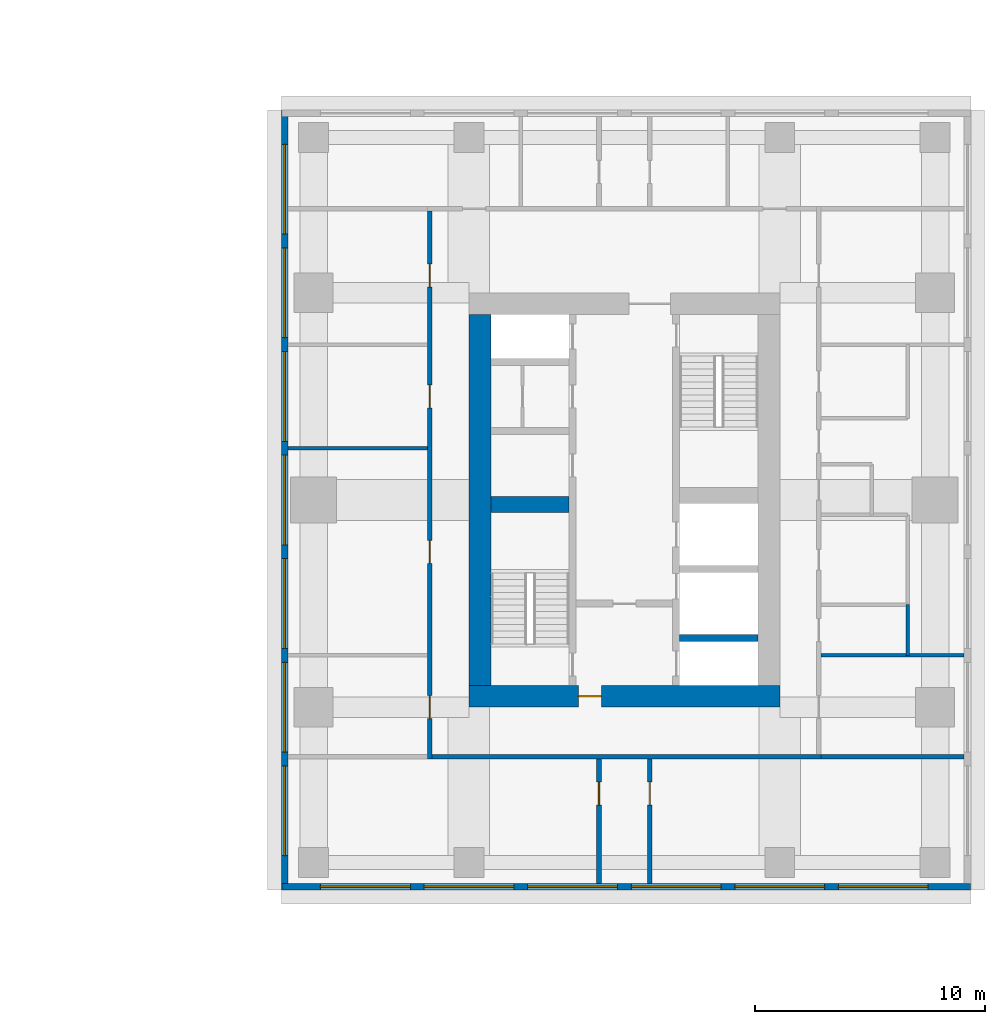
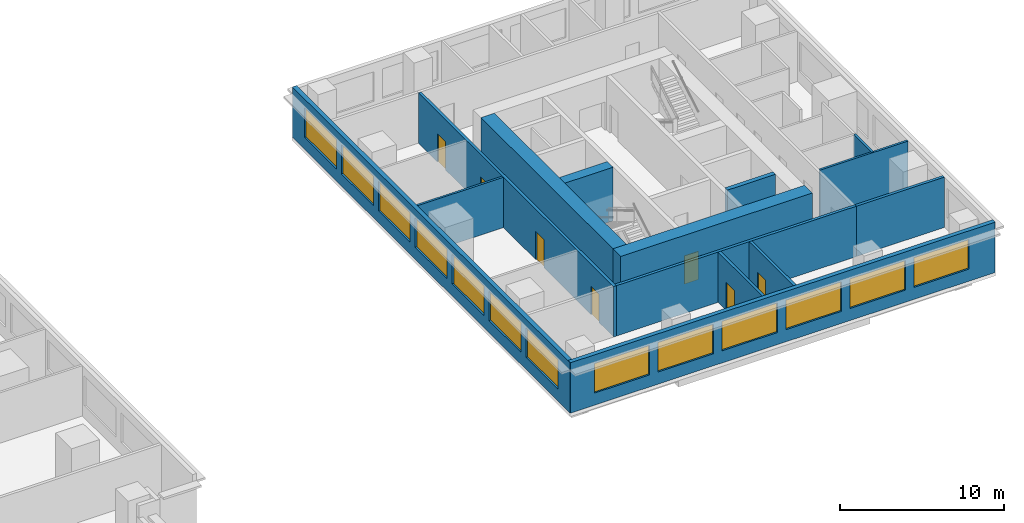
# One storey, part 6 of 11: 14 walls, 13 windows, 7 doors, 20 openings.
"""IFC4 building model written with IfcOpenShell, lengths in metres."""

from ifc_helpers import new_model, si_unit, direction, frame, frame_2d, origin, place, context, subcontext, project, spatial, rectangle, extrude, material, layer, layer_set, type_object, element, fill, save


model = new_model("IFC4")

# Units and contexts
model_context = context("Model", 3, precision=1e-05, world=origin(), true_north=direction((0.0, 1.0)))
body_context = subcontext(model_context, "Body", "Model", "MODEL_VIEW")
ifc_project = project(units=[si_unit("LENGTHUNIT", "METRE"), si_unit("AREAUNIT", "SQUARE_METRE"), si_unit("VOLUMEUNIT", "CUBIC_METRE"), si_unit("PLANEANGLEUNIT", "RADIAN"), si_unit("MASSUNIT", "GRAM", prefix="KILO")], contexts=[model_context])

# Site, building, storey
site_placement = place(None, origin())
site = spatial("IfcSite", under=ifc_project, at=site_placement, CompositionType="ELEMENT")
building_placement = place(site_placement, origin())
building = spatial("IfcBuilding", under=site, at=building_placement, Name="Namib Vertical Campus", CompositionType="ELEMENT")
storey_placement = place(building_placement, frame((0.0, 0.0, 217.0)))
storey = spatial("IfcBuildingStorey", under=building, at=storey_placement, Name="L51", CompositionType="ELEMENT", Elevation=217.0)

# Walls
ifc_material_1 = material(Name="Concrete C60/75", Category="concrete")
ifc_layer_1 = layer(ifc_material_1, 0.300048828125)
ifc_layer_set_1 = layer_set([ifc_layer_1], Name="Concrete C60/75")
wall_type_1 = type_object("IfcWallType", Name="Core inner wall 300", PredefinedType="SHEAR", material=ifc_layer_set_1)
wall_1_placement = place(storey_placement, frame((83.39990234375, 14.25, 0.0), z_axis=(0.0, 0.0, 1.0), x_axis=(1.0, 0.0, 0.0)))
element("IfcWall", 1, at=wall_1_placement, inside=storey, type_object=wall_type_1, Name="Core inner wall B L51 W5", PredefinedType="SHEAR", context=body_context, shape_type="SweptSolid", body=[
    extrude(rectangle(XDim=3.400146484375, YDim=0.300048828125, at=frame_2d((1.7001953125, 0.0))), origin(), (0.0, 0.0, 1.0), 4.0),
])
ifc_material_2 = material(Name="Concrete C60/75", Category="concrete")
ifc_layer_2 = layer(ifc_material_2, 0.699951171875)
ifc_layer_set_2 = layer_set([ifc_layer_2], Name="Concrete C60/75")
wall_type_2 = type_object("IfcWallType", Name="Core shear wall 700", PredefinedType="SHEAR", material=ifc_layer_set_2)
wall_2_placement = place(storey_placement, frame((75.199951171875, 20.050048828125, 0.0), z_axis=(0.0, 0.0, 1.0), x_axis=(1.0, 0.0, 0.0)))
element("IfcWall", 2, at=wall_2_placement, inside=storey, type_object=wall_type_2, Name="Core shear wall B L51 W3", PredefinedType="SHEAR", context=body_context, shape_type="SweptSolid", body=[
    extrude(rectangle(XDim=3.400146484375, YDim=0.699951171875, at=frame_2d((1.7001953125, 0.0))), origin(), (0.0, 0.0, 1.0), 4.0),
])

# Wall, opening, door
ifc_material_3 = material(Name="Concrete C60/75", Category="concrete")
ifc_layer_3 = layer(ifc_material_3, 0.949951171875)
ifc_layer_set_3 = layer_set([ifc_layer_3], Name="Concrete C60/75")
wall_type_3 = type_object("IfcWallType", Name="Core wall 950", PredefinedType="SHEAR", material=ifc_layer_set_3)
wall_3_placement = place(storey_placement, frame((74.25, 11.72509765625, 0.0), z_axis=(0.0, 0.0, 1.0), x_axis=(1.0, 0.0, 0.0)))
wall_3 = element("IfcWall", 3, at=wall_3_placement, inside=storey, type_object=wall_type_3, Name="Core wall B L51 1", PredefinedType="SHEAR", context=body_context, shape_type="SweptSolid", body=[
    extrude(rectangle(XDim=13.5, YDim=0.949951171875, at=frame_2d((6.75, 0.0))), origin(), (0.0, 0.0, 1.0), 4.0),
])
opening_1_placement = place(wall_3_placement, frame((4.75, 0.0, 0.0)))
opening_1 = element("IfcOpeningElement", 4, at=opening_1_placement, cuts=wall_3, Name="Opening FD5", PredefinedType="OPENING", context=body_context, shape_type="SweptSolid", body=[
    extrude(rectangle(XDim=1.0, YDim=2.10009765625, at=frame_2d((0.5, 1.050048828125))), frame((0.0, 0.48486328125, 0.0), z_axis=(0.0, -1.0, 0.0), x_axis=(1.0, 0.0, 0.0)), (0.0, 0.0, 1.0), 0.969970703125),
])
ifc_material_4 = material(Name="Steel fire door", Category="steel")
door_type_1 = type_object("IfcDoorType", Name="Fire door 1000x2100 120 min", OperationType="SINGLE_SWING_RIGHT", PredefinedType="DOOR", material=ifc_material_4)
door_1_placement = place(opening_1_placement, origin())
door_1 = element("IfcDoor", 5, at=door_1_placement, inside=storey, type_object=door_type_1, Name="Firefighting lobby door FD5 B L51", OperationType="SINGLE_SWING_LEFT", OverallHeight=2.10009765625, OverallWidth=1.0, PredefinedType="DOOR", context=body_context, shape_type="SweptSolid", body=[
    extrude(rectangle(XDim=1.0, YDim=2.10009765625, at=frame_2d((0.5, 1.050048828125))), frame((0.0, 0.02490234375, 0.0), z_axis=(0.0, -1.0, 0.0), x_axis=(1.0, 0.0, 0.0)), (0.0, 0.0, 1.0), 0.050048828125),
])
fill(opening_1, door_1)

# Walls
wall_4_placement = place(storey_placement, frame((74.72509765625, 28.300048828125, 0.0), z_axis=(0.0, 0.0, 1.0), x_axis=(0.0, -1.0, 0.0)))
element("IfcWall", 6, at=wall_4_placement, inside=storey, type_object=wall_type_3, Name="Core wall B L51 4", PredefinedType="SHEAR", context=body_context, shape_type="SweptSolid", body=[
    extrude(rectangle(XDim=16.10009765625, YDim=0.949951171875, at=frame_2d((8.050048828125, 0.0))), origin(), (0.0, 0.0, 1.0), 4.0),
])
ifc_material_5 = material(Name="Concrete masonry", Category="masonry")
ifc_layer_4 = layer(ifc_material_5, 0.199951171875)
ifc_layer_set_4 = layer_set([ifc_layer_4], Name="Corridor wall 200")
wall_type_4 = type_object("IfcWallType", Name="Corridor wall 200", PredefinedType="SOLIDWALL", material=ifc_layer_set_4)
wall_5_placement = place(storey_placement, frame((72.64990234375, 9.10009765625, 0.0), z_axis=(0.0, 0.0, 1.0), x_axis=(1.0, 0.0, 0.0)))
element("IfcWall", 7, at=wall_5_placement, inside=storey, type_object=wall_type_4, Name="Corridor wall B L51 CS", PredefinedType="SOLIDWALL", context=body_context, shape_type="SweptSolid", body=[
    extrude(rectangle(XDim=16.900146484375, YDim=0.199951171875, at=frame_2d((8.4501953125, 0.0))), origin(), (0.0, 0.0, 1.0), 3.75),
])

# Wall, openings, doors
wall_6_placement = place(storey_placement, frame((72.550048828125, 32.800048828125, 0.0), z_axis=(0.0, 0.0, 1.0), x_axis=(0.0, -1.0, 0.0)))
wall_6 = element("IfcWall", 8, at=wall_6_placement, inside=storey, type_object=wall_type_4, Name="Corridor wall B L51 CW", PredefinedType="SOLIDWALL", context=body_context, shape_type="SweptSolid", body=[
    extrude(rectangle(XDim=23.800048828125, YDim=0.199951171875, at=frame_2d((11.89990234375, 0.0))), origin(), (0.0, 0.0, 1.0), 3.75),
])
opening_2_placement = place(wall_6_placement, frame((21.050048828125, 0.0, 0.0)))
opening_2 = element("IfcOpeningElement", 9, at=opening_2_placement, cuts=wall_6, Name="Opening CD1", PredefinedType="OPENING", context=body_context, shape_type="SweptSolid", body=[
    extrude(rectangle(XDim=1.0, YDim=2.10009765625, at=frame_2d((0.5, 1.050048828125))), frame((0.0, 0.10986328125, 0.0), z_axis=(0.0, -1.0, 0.0), x_axis=(1.0, 0.0, 0.0)), (0.0, 0.0, 1.0), 0.219970703125),
])
opening_3_placement = place(wall_6_placement, frame((14.300048828125, 0.0, 0.0)))
opening_3 = element("IfcOpeningElement", 10, at=opening_3_placement, cuts=wall_6, Name="Opening CD1", PredefinedType="OPENING", context=body_context, shape_type="SweptSolid", body=[
    extrude(rectangle(XDim=1.0, YDim=2.10009765625, at=frame_2d((0.5, 1.050048828125))), frame((0.0, 0.10986328125, 0.0), z_axis=(0.0, -1.0, 0.0), x_axis=(1.0, 0.0, 0.0)), (0.0, 0.0, 1.0), 0.219970703125),
])
opening_4_placement = place(wall_6_placement, frame((7.550048828125, 0.0, 0.0)))
opening_4 = element("IfcOpeningElement", 11, at=opening_4_placement, cuts=wall_6, Name="Opening CD1", PredefinedType="OPENING", context=body_context, shape_type="SweptSolid", body=[
    extrude(rectangle(XDim=1.0, YDim=2.10009765625, at=frame_2d((0.5, 1.050048828125))), frame((0.0, 0.10986328125, 0.0), z_axis=(0.0, -1.0, 0.0), x_axis=(1.0, 0.0, 0.0)), (0.0, 0.0, 1.0), 0.219970703125),
])
opening_5_placement = place(wall_6_placement, frame((2.300048828125, 0.0, 0.0)))
opening_5 = element("IfcOpeningElement", 12, at=opening_5_placement, cuts=wall_6, Name="Opening CD1", PredefinedType="OPENING", context=body_context, shape_type="SweptSolid", body=[
    extrude(rectangle(XDim=1.0, YDim=2.10009765625, at=frame_2d((0.5, 1.050048828125))), frame((0.0, 0.10986328125, 0.0), z_axis=(0.0, -1.0, 0.0), x_axis=(1.0, 0.0, 0.0)), (0.0, 0.0, 1.0), 0.219970703125),
])
ifc_material_6 = material(Name="Timber fire door leaf", Category="wood")
door_type_2 = type_object("IfcDoorType", Name="Corridor door 1000x2100 20 min", OperationType="SINGLE_SWING_LEFT", PredefinedType="DOOR", material=ifc_material_6)
door_2_placement = place(opening_2_placement, frame((1.0, 0.0, 0.0), z_axis=(0.0, 0.0, 1.0), x_axis=(-1.0, 0.0, 0.0)))
door_2 = element("IfcDoor", 13, at=door_2_placement, inside=storey, type_object=door_type_2, Name="Door CD1 B51-14", OperationType="SINGLE_SWING_RIGHT", OverallHeight=2.10009765625, OverallWidth=1.0, PredefinedType="DOOR", context=body_context, shape_type="SweptSolid", body=[
    extrude(rectangle(XDim=1.0, YDim=2.10009765625, at=frame_2d((0.5, 1.050048828125))), frame((0.0, 0.02490234375, 0.0), z_axis=(0.0, -1.0, 0.0), x_axis=(1.0, 0.0, 0.0)), (0.0, 0.0, 1.0), 0.050048828125),
])
fill(opening_2, door_2)
door_3_placement = place(opening_3_placement, frame((1.0, 0.0, 0.0), z_axis=(0.0, 0.0, 1.0), x_axis=(-1.0, 0.0, 0.0)))
door_3 = element("IfcDoor", 14, at=door_3_placement, inside=storey, type_object=door_type_2, Name="Door CD1 B51-15", OperationType="SINGLE_SWING_RIGHT", OverallHeight=2.10009765625, OverallWidth=1.0, PredefinedType="DOOR", context=body_context, shape_type="SweptSolid", body=[
    extrude(rectangle(XDim=1.0, YDim=2.10009765625, at=frame_2d((0.5, 1.050048828125))), frame((0.0, 0.02490234375, 0.0), z_axis=(0.0, -1.0, 0.0), x_axis=(1.0, 0.0, 0.0)), (0.0, 0.0, 1.0), 0.050048828125),
])
fill(opening_3, door_3)
door_4_placement = place(opening_4_placement, frame((1.0, 0.0, 0.0), z_axis=(0.0, 0.0, 1.0), x_axis=(-1.0, 0.0, 0.0)))
door_4 = element("IfcDoor", 15, at=door_4_placement, inside=storey, type_object=door_type_2, Name="Door CD1 B51-16", OperationType="SINGLE_SWING_RIGHT", OverallHeight=2.10009765625, OverallWidth=1.0, PredefinedType="DOOR", context=body_context, shape_type="SweptSolid", body=[
    extrude(rectangle(XDim=1.0, YDim=2.10009765625, at=frame_2d((0.5, 1.050048828125))), frame((0.0, 0.02490234375, 0.0), z_axis=(0.0, -1.0, 0.0), x_axis=(1.0, 0.0, 0.0)), (0.0, 0.0, 1.0), 0.050048828125),
])
fill(opening_4, door_4)
door_5_placement = place(opening_5_placement, frame((1.0, 0.0, 0.0), z_axis=(0.0, 0.0, 1.0), x_axis=(-1.0, 0.0, 0.0)))
door_5 = element("IfcDoor", 16, at=door_5_placement, inside=storey, type_object=door_type_2, Name="Door CD1 B51-17", OperationType="SINGLE_SWING_RIGHT", OverallHeight=2.10009765625, OverallWidth=1.0, PredefinedType="DOOR", context=body_context, shape_type="SweptSolid", body=[
    extrude(rectangle(XDim=1.0, YDim=2.10009765625, at=frame_2d((0.5, 1.050048828125))), frame((0.0, 0.02490234375, 0.0), z_axis=(0.0, -1.0, 0.0), x_axis=(1.0, 0.0, 0.0)), (0.0, 0.0, 1.0), 0.050048828125),
])
fill(opening_5, door_5)

# Wall, opening, door
wall_7_placement = place(storey_placement, frame((79.89990234375, 3.60009765625, 0.0), z_axis=(0.0, 0.0, 1.0), x_axis=(0.0, 1.0, 0.0)))
wall_7 = element("IfcWall", 17, at=wall_7_placement, inside=storey, type_object=wall_type_4, Name="Corridor wall B L51 SPS1", PredefinedType="SOLIDWALL", context=body_context, shape_type="SweptSolid", body=[
    extrude(rectangle(XDim=5.39990234375, YDim=0.199951171875, at=frame_2d((2.699951171875, 0.0))), origin(), (0.0, 0.0, 1.0), 3.75),
])
opening_6_placement = place(wall_7_placement, frame((3.39990234375, 0.0, 0.0)))
opening_6 = element("IfcOpeningElement", 18, at=opening_6_placement, cuts=wall_7, Name="Opening CD1", PredefinedType="OPENING", context=body_context, shape_type="SweptSolid", body=[
    extrude(rectangle(XDim=1.0, YDim=2.10009765625, at=frame_2d((0.5, 1.050048828125))), frame((0.0, 0.10986328125, 0.0), z_axis=(0.0, -1.0, 0.0), x_axis=(1.0, 0.0, 0.0)), (0.0, 0.0, 1.0), 0.219970703125),
])
door_6_placement = place(opening_6_placement, origin())
door_6 = element("IfcDoor", 19, at=door_6_placement, inside=storey, type_object=door_type_2, Name="Door CD1 B51-01", OperationType="SINGLE_SWING_RIGHT", OverallHeight=2.10009765625, OverallWidth=1.0, PredefinedType="DOOR", context=body_context, shape_type="SweptSolid", body=[
    extrude(rectangle(XDim=1.0, YDim=2.10009765625, at=frame_2d((0.5, 1.050048828125))), frame((0.0, 0.02490234375, 0.0), z_axis=(0.0, -1.0, 0.0), x_axis=(1.0, 0.0, 0.0)), (0.0, 0.0, 1.0), 0.050048828125),
])
fill(opening_6, door_6)

wall_8_placement = place(storey_placement, frame((82.10009765625, 9.0, 0.0), z_axis=(0.0, 0.0, 1.0), x_axis=(0.0, -1.0, 0.0)))
wall_8 = element("IfcWall", 20, at=wall_8_placement, inside=storey, type_object=wall_type_4, Name="Corridor wall B L51 SPS2", PredefinedType="SOLIDWALL", context=body_context, shape_type="SweptSolid", body=[
    extrude(rectangle(XDim=5.39990234375, YDim=0.199951171875, at=frame_2d((2.699951171875, 0.0))), origin(), (0.0, 0.0, 1.0), 3.75),
])
opening_7_placement = place(wall_8_placement, frame((1.0, 0.0, 0.0)))
opening_7 = element("IfcOpeningElement", 21, at=opening_7_placement, cuts=wall_8, Name="Opening CD1", PredefinedType="OPENING", context=body_context, shape_type="SweptSolid", body=[
    extrude(rectangle(XDim=1.0, YDim=2.10009765625, at=frame_2d((0.5, 1.050048828125))), frame((0.0, 0.10986328125, 0.0), z_axis=(0.0, -1.0, 0.0), x_axis=(1.0, 0.0, 0.0)), (0.0, 0.0, 1.0), 0.219970703125),
])
door_7_placement = place(opening_7_placement, origin())
door_7 = element("IfcDoor", 22, at=door_7_placement, inside=storey, type_object=door_type_2, Name="Door CD1 B51-02", OperationType="SINGLE_SWING_LEFT", OverallHeight=2.10009765625, OverallWidth=1.0, PredefinedType="DOOR", context=body_context, shape_type="SweptSolid", body=[
    extrude(rectangle(XDim=1.0, YDim=2.10009765625, at=frame_2d((0.5, 1.050048828125))), frame((0.0, 0.02490234375, 0.0), z_axis=(0.0, -1.0, 0.0), x_axis=(1.0, 0.0, 0.0)), (0.0, 0.0, 1.0), 0.050048828125),
])
fill(opening_7, door_7)

# Wall
wall_9_placement = place(storey_placement, frame((89.550048828125, 9.10009765625, 0.0), z_axis=(0.0, 0.0, 1.0), x_axis=(1.0, 0.0, 0.0)))
element("IfcWall", 23, at=wall_9_placement, inside=storey, type_object=wall_type_4, Name="Partition B L51 BSE", PredefinedType="SOLIDWALL", context=body_context, shape_type="SweptSolid", body=[
    extrude(rectangle(XDim=6.199951171875, YDim=0.199951171875, at=frame_2d((3.10009765625, 0.0))), origin(), (0.0, 0.0, 1.0), 3.75),
])

# Wall, openings, windows
ifc_material_7 = material(Name="Concrete C40/50", Category="concrete")
ifc_layer_5 = layer(ifc_material_7, 0.300048828125)
ifc_layer_set_5 = layer_set([ifc_layer_5], Name="Concrete C40/50")
wall_type_5 = type_object("IfcWallType", Name="External wall 300 board-marked concrete", PredefinedType="STANDARD", material=ifc_layer_set_5)
wall_10_placement = place(storey_placement, frame((66.1201171875, 3.449951171875, 0.0), z_axis=(0.0, 0.0, 1.0), x_axis=(1.0, 0.0, 0.0)))
wall_10 = element("IfcWall", 24, at=wall_10_placement, inside=storey, type_object=wall_type_5, Name="External wall L51 F01", PredefinedType="STANDARD", context=body_context, shape_type="SweptSolid", body=[
    extrude(rectangle(XDim=29.909912109375, YDim=0.300048828125, at=frame_2d((14.955078125, 0.0))), origin(), (0.0, 0.0, 1.0), 3.75),
])
opening_8_placement = place(wall_10_placement, frame((1.679931640625, 0.0, 0.89990234375)))
opening_8 = element("IfcOpeningElement", 25, at=opening_8_placement, cuts=wall_10, Name="Opening W1", PredefinedType="OPENING", context=body_context, shape_type="SweptSolid", body=[
    extrude(rectangle(XDim=3.89990234375, YDim=2.199951171875, at=frame_2d((1.949951171875, 1.10009765625))), frame((0.0, 0.159912109375, 0.0), z_axis=(0.0, -1.0, 0.0), x_axis=(1.0, 0.0, 0.0)), (0.0, 0.0, 1.0), 0.320068359375),
])
opening_9_placement = place(wall_10_placement, frame((6.179931640625, 0.0, 0.89990234375)))
opening_9 = element("IfcOpeningElement", 26, at=opening_9_placement, cuts=wall_10, Name="Opening W1", PredefinedType="OPENING", context=body_context, shape_type="SweptSolid", body=[
    extrude(rectangle(XDim=3.89990234375, YDim=2.199951171875, at=frame_2d((1.949951171875, 1.10009765625))), frame((0.0, 0.159912109375, 0.0), z_axis=(0.0, -1.0, 0.0), x_axis=(1.0, 0.0, 0.0)), (0.0, 0.0, 1.0), 0.320068359375),
])
opening_10_placement = place(wall_10_placement, frame((10.679931640625, 0.0, 0.89990234375)))
opening_10 = element("IfcOpeningElement", 27, at=opening_10_placement, cuts=wall_10, Name="Opening W1", PredefinedType="OPENING", context=body_context, shape_type="SweptSolid", body=[
    extrude(rectangle(XDim=3.89990234375, YDim=2.199951171875, at=frame_2d((1.949951171875, 1.10009765625))), frame((0.0, 0.159912109375, 0.0), z_axis=(0.0, -1.0, 0.0), x_axis=(1.0, 0.0, 0.0)), (0.0, 0.0, 1.0), 0.320068359375),
])
opening_11_placement = place(wall_10_placement, frame((15.179931640625, 0.0, 0.89990234375)))
opening_11 = element("IfcOpeningElement", 28, at=opening_11_placement, cuts=wall_10, Name="Opening W1", PredefinedType="OPENING", context=body_context, shape_type="SweptSolid", body=[
    extrude(rectangle(XDim=3.89990234375, YDim=2.199951171875, at=frame_2d((1.949951171875, 1.10009765625))), frame((0.0, 0.159912109375, 0.0), z_axis=(0.0, -1.0, 0.0), x_axis=(1.0, 0.0, 0.0)), (0.0, 0.0, 1.0), 0.320068359375),
])
opening_12_placement = place(wall_10_placement, frame((19.679931640625, 0.0, 0.89990234375)))
opening_12 = element("IfcOpeningElement", 29, at=opening_12_placement, cuts=wall_10, Name="Opening W1", PredefinedType="OPENING", context=body_context, shape_type="SweptSolid", body=[
    extrude(rectangle(XDim=3.89990234375, YDim=2.199951171875, at=frame_2d((1.949951171875, 1.10009765625))), frame((0.0, 0.159912109375, 0.0), z_axis=(0.0, -1.0, 0.0), x_axis=(1.0, 0.0, 0.0)), (0.0, 0.0, 1.0), 0.320068359375),
])
opening_13_placement = place(wall_10_placement, frame((24.179931640625, 0.0, 0.89990234375)))
opening_13 = element("IfcOpeningElement", 30, at=opening_13_placement, cuts=wall_10, Name="Opening W1", PredefinedType="OPENING", context=body_context, shape_type="SweptSolid", body=[
    extrude(rectangle(XDim=3.89990234375, YDim=2.199951171875, at=frame_2d((1.949951171875, 1.10009765625))), frame((0.0, 0.159912109375, 0.0), z_axis=(0.0, -1.0, 0.0), x_axis=(1.0, 0.0, 0.0)), (0.0, 0.0, 1.0), 0.320068359375),
])
ifc_material_8 = material(Name="Dark tinted glass in black aluminium frame", Category="aluminium")
window_type = type_object("IfcWindowType", Name="Ribbon window 3900x2200", PartitioningType="SINGLE_PANEL", PredefinedType="WINDOW", material=ifc_material_8)
window_1_placement = place(opening_8_placement, origin())
window_1 = element("IfcWindow", 31, at=window_1_placement, inside=storey, type_object=window_type, Name="Window W1 L51 F01-1", OverallHeight=2.199951171875, OverallWidth=3.89990234375, PartitioningType="SINGLE_PANEL", PredefinedType="WINDOW", context=body_context, shape_type="SweptSolid", body=[
    extrude(rectangle(XDim=3.89990234375, YDim=2.199951171875, at=frame_2d((1.949951171875, 1.10009765625))), frame((0.0, 0.030029296875, 0.0), z_axis=(0.0, -1.0, 0.0), x_axis=(1.0, 0.0, 0.0)), (0.0, 0.0, 1.0), 0.06005859375),
])
fill(opening_8, window_1)
window_2_placement = place(opening_9_placement, origin())
window_2 = element("IfcWindow", 32, at=window_2_placement, inside=storey, type_object=window_type, Name="Window W1 L51 F01-2", OverallHeight=2.199951171875, OverallWidth=3.89990234375, PartitioningType="SINGLE_PANEL", PredefinedType="WINDOW", context=body_context, shape_type="SweptSolid", body=[
    extrude(rectangle(XDim=3.89990234375, YDim=2.199951171875, at=frame_2d((1.949951171875, 1.10009765625))), frame((0.0, 0.030029296875, 0.0), z_axis=(0.0, -1.0, 0.0), x_axis=(1.0, 0.0, 0.0)), (0.0, 0.0, 1.0), 0.06005859375),
])
fill(opening_9, window_2)
window_3_placement = place(opening_10_placement, origin())
window_3 = element("IfcWindow", 33, at=window_3_placement, inside=storey, type_object=window_type, Name="Window W1 L51 F01-3", OverallHeight=2.199951171875, OverallWidth=3.89990234375, PartitioningType="SINGLE_PANEL", PredefinedType="WINDOW", context=body_context, shape_type="SweptSolid", body=[
    extrude(rectangle(XDim=3.89990234375, YDim=2.199951171875, at=frame_2d((1.949951171875, 1.10009765625))), frame((0.0, 0.030029296875, 0.0), z_axis=(0.0, -1.0, 0.0), x_axis=(1.0, 0.0, 0.0)), (0.0, 0.0, 1.0), 0.06005859375),
])
fill(opening_10, window_3)
window_4_placement = place(opening_11_placement, origin())
window_4 = element("IfcWindow", 34, at=window_4_placement, inside=storey, type_object=window_type, Name="Window W1 L51 F01-4", OverallHeight=2.199951171875, OverallWidth=3.89990234375, PartitioningType="SINGLE_PANEL", PredefinedType="WINDOW", context=body_context, shape_type="SweptSolid", body=[
    extrude(rectangle(XDim=3.89990234375, YDim=2.199951171875, at=frame_2d((1.949951171875, 1.10009765625))), frame((0.0, 0.030029296875, 0.0), z_axis=(0.0, -1.0, 0.0), x_axis=(1.0, 0.0, 0.0)), (0.0, 0.0, 1.0), 0.06005859375),
])
fill(opening_11, window_4)
window_5_placement = place(opening_12_placement, origin())
window_5 = element("IfcWindow", 35, at=window_5_placement, inside=storey, type_object=window_type, Name="Window W1 L51 F01-5", OverallHeight=2.199951171875, OverallWidth=3.89990234375, PartitioningType="SINGLE_PANEL", PredefinedType="WINDOW", context=body_context, shape_type="SweptSolid", body=[
    extrude(rectangle(XDim=3.89990234375, YDim=2.199951171875, at=frame_2d((1.949951171875, 1.10009765625))), frame((0.0, 0.030029296875, 0.0), z_axis=(0.0, -1.0, 0.0), x_axis=(1.0, 0.0, 0.0)), (0.0, 0.0, 1.0), 0.06005859375),
])
fill(opening_12, window_5)
window_6_placement = place(opening_13_placement, origin())
window_6 = element("IfcWindow", 36, at=window_6_placement, inside=storey, type_object=window_type, Name="Window W1 L51 F01-6", OverallHeight=2.199951171875, OverallWidth=3.89990234375, PartitioningType="SINGLE_PANEL", PredefinedType="WINDOW", context=body_context, shape_type="SweptSolid", body=[
    extrude(rectangle(XDim=3.89990234375, YDim=2.199951171875, at=frame_2d((1.949951171875, 1.10009765625))), frame((0.0, 0.030029296875, 0.0), z_axis=(0.0, -1.0, 0.0), x_axis=(1.0, 0.0, 0.0)), (0.0, 0.0, 1.0), 0.06005859375),
])
fill(opening_13, window_6)

wall_11_placement = place(storey_placement, frame((66.25, 37.179931640625, 0.0), z_axis=(0.0, 0.0, 1.0), x_axis=(0.0, -1.0, 0.0)))
wall_11 = element("IfcWall", 37, at=wall_11_placement, inside=storey, type_object=wall_type_5, Name="External wall L51 F04", PredefinedType="STANDARD", context=body_context, shape_type="SweptSolid", body=[
    extrude(rectangle(XDim=33.85986328125, YDim=0.300048828125, at=frame_2d((16.929931640625, 0.0))), origin(), (0.0, 0.0, 1.0), 3.75),
])
opening_14_placement = place(wall_11_placement, frame((28.47998046875, 0.0, 0.89990234375)))
opening_14 = element("IfcOpeningElement", 38, at=opening_14_placement, cuts=wall_11, Name="Opening W1", PredefinedType="OPENING", context=body_context, shape_type="SweptSolid", body=[
    extrude(rectangle(XDim=3.89990234375, YDim=2.199951171875, at=frame_2d((1.949951171875, 1.10009765625))), frame((0.0, 0.159912109375, 0.0), z_axis=(0.0, -1.0, 0.0), x_axis=(1.0, 0.0, 0.0)), (0.0, 0.0, 1.0), 0.320068359375),
])
opening_15_placement = place(wall_11_placement, frame((23.97998046875, 0.0, 0.89990234375)))
opening_15 = element("IfcOpeningElement", 39, at=opening_15_placement, cuts=wall_11, Name="Opening W1", PredefinedType="OPENING", context=body_context, shape_type="SweptSolid", body=[
    extrude(rectangle(XDim=3.89990234375, YDim=2.199951171875, at=frame_2d((1.949951171875, 1.10009765625))), frame((0.0, 0.159912109375, 0.0), z_axis=(0.0, -1.0, 0.0), x_axis=(1.0, 0.0, 0.0)), (0.0, 0.0, 1.0), 0.320068359375),
])
opening_16_placement = place(wall_11_placement, frame((19.47998046875, 0.0, 0.89990234375)))
opening_16 = element("IfcOpeningElement", 40, at=opening_16_placement, cuts=wall_11, Name="Opening W1", PredefinedType="OPENING", context=body_context, shape_type="SweptSolid", body=[
    extrude(rectangle(XDim=3.89990234375, YDim=2.199951171875, at=frame_2d((1.949951171875, 1.10009765625))), frame((0.0, 0.159912109375, 0.0), z_axis=(0.0, -1.0, 0.0), x_axis=(1.0, 0.0, 0.0)), (0.0, 0.0, 1.0), 0.320068359375),
])
opening_17_placement = place(wall_11_placement, frame((14.97998046875, 0.0, 0.89990234375)))
opening_17 = element("IfcOpeningElement", 41, at=opening_17_placement, cuts=wall_11, Name="Opening W1", PredefinedType="OPENING", context=body_context, shape_type="SweptSolid", body=[
    extrude(rectangle(XDim=3.89990234375, YDim=2.199951171875, at=frame_2d((1.949951171875, 1.10009765625))), frame((0.0, 0.159912109375, 0.0), z_axis=(0.0, -1.0, 0.0), x_axis=(1.0, 0.0, 0.0)), (0.0, 0.0, 1.0), 0.320068359375),
])
opening_18_placement = place(wall_11_placement, frame((10.47998046875, 0.0, 0.89990234375)))
opening_18 = element("IfcOpeningElement", 42, at=opening_18_placement, cuts=wall_11, Name="Opening W1", PredefinedType="OPENING", context=body_context, shape_type="SweptSolid", body=[
    extrude(rectangle(XDim=3.89990234375, YDim=2.199951171875, at=frame_2d((1.949951171875, 1.10009765625))), frame((0.0, 0.159912109375, 0.0), z_axis=(0.0, -1.0, 0.0), x_axis=(1.0, 0.0, 0.0)), (0.0, 0.0, 1.0), 0.320068359375),
])
opening_19_placement = place(wall_11_placement, frame((5.97998046875, 0.0, 0.89990234375)))
opening_19 = element("IfcOpeningElement", 43, at=opening_19_placement, cuts=wall_11, Name="Opening W1", PredefinedType="OPENING", context=body_context, shape_type="SweptSolid", body=[
    extrude(rectangle(XDim=3.89990234375, YDim=2.199951171875, at=frame_2d((1.949951171875, 1.10009765625))), frame((0.0, 0.159912109375, 0.0), z_axis=(0.0, -1.0, 0.0), x_axis=(1.0, 0.0, 0.0)), (0.0, 0.0, 1.0), 0.320068359375),
])
opening_20_placement = place(wall_11_placement, frame((1.47998046875, 0.0, 0.89990234375)))
opening_20 = element("IfcOpeningElement", 44, at=opening_20_placement, cuts=wall_11, Name="Opening W1", PredefinedType="OPENING", context=body_context, shape_type="SweptSolid", body=[
    extrude(rectangle(XDim=3.89990234375, YDim=2.199951171875, at=frame_2d((1.949951171875, 1.10009765625))), frame((0.0, 0.159912109375, 0.0), z_axis=(0.0, -1.0, 0.0), x_axis=(1.0, 0.0, 0.0)), (0.0, 0.0, 1.0), 0.320068359375),
])
window_7_placement = place(opening_14_placement, origin())
window_7 = element("IfcWindow", 45, at=window_7_placement, inside=storey, type_object=window_type, Name="Window W1 L51 F04-1", OverallHeight=2.199951171875, OverallWidth=3.89990234375, PartitioningType="SINGLE_PANEL", PredefinedType="WINDOW", context=body_context, shape_type="SweptSolid", body=[
    extrude(rectangle(XDim=3.89990234375, YDim=2.199951171875, at=frame_2d((1.949951171875, 1.10009765625))), frame((0.0, 0.030029296875, 0.0), z_axis=(0.0, -1.0, 0.0), x_axis=(1.0, 0.0, 0.0)), (0.0, 0.0, 1.0), 0.06005859375),
])
fill(opening_14, window_7)
window_8_placement = place(opening_15_placement, origin())
window_8 = element("IfcWindow", 46, at=window_8_placement, inside=storey, type_object=window_type, Name="Window W1 L51 F04-2", OverallHeight=2.199951171875, OverallWidth=3.89990234375, PartitioningType="SINGLE_PANEL", PredefinedType="WINDOW", context=body_context, shape_type="SweptSolid", body=[
    extrude(rectangle(XDim=3.89990234375, YDim=2.199951171875, at=frame_2d((1.949951171875, 1.10009765625))), frame((0.0, 0.030029296875, 0.0), z_axis=(0.0, -1.0, 0.0), x_axis=(1.0, 0.0, 0.0)), (0.0, 0.0, 1.0), 0.06005859375),
])
fill(opening_15, window_8)
window_9_placement = place(opening_16_placement, origin())
window_9 = element("IfcWindow", 47, at=window_9_placement, inside=storey, type_object=window_type, Name="Window W1 L51 F04-3", OverallHeight=2.199951171875, OverallWidth=3.89990234375, PartitioningType="SINGLE_PANEL", PredefinedType="WINDOW", context=body_context, shape_type="SweptSolid", body=[
    extrude(rectangle(XDim=3.89990234375, YDim=2.199951171875, at=frame_2d((1.949951171875, 1.10009765625))), frame((0.0, 0.030029296875, 0.0), z_axis=(0.0, -1.0, 0.0), x_axis=(1.0, 0.0, 0.0)), (0.0, 0.0, 1.0), 0.06005859375),
])
fill(opening_16, window_9)
window_10_placement = place(opening_17_placement, origin())
window_10 = element("IfcWindow", 48, at=window_10_placement, inside=storey, type_object=window_type, Name="Window W1 L51 F04-4", OverallHeight=2.199951171875, OverallWidth=3.89990234375, PartitioningType="SINGLE_PANEL", PredefinedType="WINDOW", context=body_context, shape_type="SweptSolid", body=[
    extrude(rectangle(XDim=3.89990234375, YDim=2.199951171875, at=frame_2d((1.949951171875, 1.10009765625))), frame((0.0, 0.030029296875, 0.0), z_axis=(0.0, -1.0, 0.0), x_axis=(1.0, 0.0, 0.0)), (0.0, 0.0, 1.0), 0.06005859375),
])
fill(opening_17, window_10)
window_11_placement = place(opening_18_placement, origin())
window_11 = element("IfcWindow", 49, at=window_11_placement, inside=storey, type_object=window_type, Name="Window W1 L51 F04-5", OverallHeight=2.199951171875, OverallWidth=3.89990234375, PartitioningType="SINGLE_PANEL", PredefinedType="WINDOW", context=body_context, shape_type="SweptSolid", body=[
    extrude(rectangle(XDim=3.89990234375, YDim=2.199951171875, at=frame_2d((1.949951171875, 1.10009765625))), frame((0.0, 0.030029296875, 0.0), z_axis=(0.0, -1.0, 0.0), x_axis=(1.0, 0.0, 0.0)), (0.0, 0.0, 1.0), 0.06005859375),
])
fill(opening_18, window_11)
window_12_placement = place(opening_19_placement, origin())
window_12 = element("IfcWindow", 50, at=window_12_placement, inside=storey, type_object=window_type, Name="Window W1 L51 F04-6", OverallHeight=2.199951171875, OverallWidth=3.89990234375, PartitioningType="SINGLE_PANEL", PredefinedType="WINDOW", context=body_context, shape_type="SweptSolid", body=[
    extrude(rectangle(XDim=3.89990234375, YDim=2.199951171875, at=frame_2d((1.949951171875, 1.10009765625))), frame((0.0, 0.030029296875, 0.0), z_axis=(0.0, -1.0, 0.0), x_axis=(1.0, 0.0, 0.0)), (0.0, 0.0, 1.0), 0.06005859375),
])
fill(opening_19, window_12)
window_13_placement = place(opening_20_placement, origin())
window_13 = element("IfcWindow", 51, at=window_13_placement, inside=storey, type_object=window_type, Name="Window W1 L51 F04-7", OverallHeight=2.199951171875, OverallWidth=3.89990234375, PartitioningType="SINGLE_PANEL", PredefinedType="WINDOW", context=body_context, shape_type="SweptSolid", body=[
    extrude(rectangle(XDim=3.89990234375, YDim=2.199951171875, at=frame_2d((1.949951171875, 1.10009765625))), frame((0.0, 0.030029296875, 0.0), z_axis=(0.0, -1.0, 0.0), x_axis=(1.0, 0.0, 0.0)), (0.0, 0.0, 1.0), 0.06005859375),
])
fill(opening_20, window_13)

# Walls
ifc_material_9 = material(Name="Gypsum board on steel studs", Category="steel")
ifc_layer_6 = layer(ifc_material_9, 0.14990234375)
ifc_layer_set_6 = layer_set([ifc_layer_6], Name="Gypsum board on steel studs")
wall_type_6 = type_object("IfcWallType", Name="Partition 150", PredefinedType="PARTITIONING", material=ifc_layer_set_6)
wall_12_placement = place(storey_placement, frame((89.550048828125, 13.5, 0.0), z_axis=(0.0, 0.0, 1.0), x_axis=(1.0, 0.0, 0.0)))
element("IfcWall", 52, at=wall_12_placement, inside=storey, type_object=wall_type_6, Name="Partition B L51 PE1", PredefinedType="PARTITIONING", context=body_context, shape_type="SweptSolid", body=[
    extrude(rectangle(XDim=6.199951171875, YDim=0.14990234375, at=frame_2d((3.10009765625, 0.0))), origin(), (0.0, 0.0, 1.0), 3.75),
])
wall_13_placement = place(storey_placement, frame((66.39990234375, 22.5, 0.0), z_axis=(0.0, 0.0, 1.0), x_axis=(1.0, 0.0, 0.0)))
element("IfcWall", 53, at=wall_13_placement, inside=storey, type_object=wall_type_6, Name="Partition B L51 PW2", PredefinedType="PARTITIONING", context=body_context, shape_type="SweptSolid", body=[
    extrude(rectangle(XDim=6.050048828125, YDim=0.14990234375, at=frame_2d((3.02490234375, 0.0))), origin(), (0.0, 0.0, 1.0), 3.75),
])
wall_14_placement = place(storey_placement, frame((93.300048828125, 13.5, 0.0), z_axis=(0.0, 0.0, 1.0), x_axis=(0.0, 1.0, 0.0)))
element("IfcWall", 54, at=wall_14_placement, inside=storey, type_object=wall_type_6, Name="Partition B L51 WB1", PredefinedType="PARTITIONING", context=body_context, shape_type="SweptSolid", body=[
    extrude(rectangle(XDim=2.199951171875, YDim=0.14990234375, at=frame_2d((1.10009765625, 0.0))), origin(), (0.0, 0.0, 1.0), 3.75),
])

save(model, "model.ifc")
